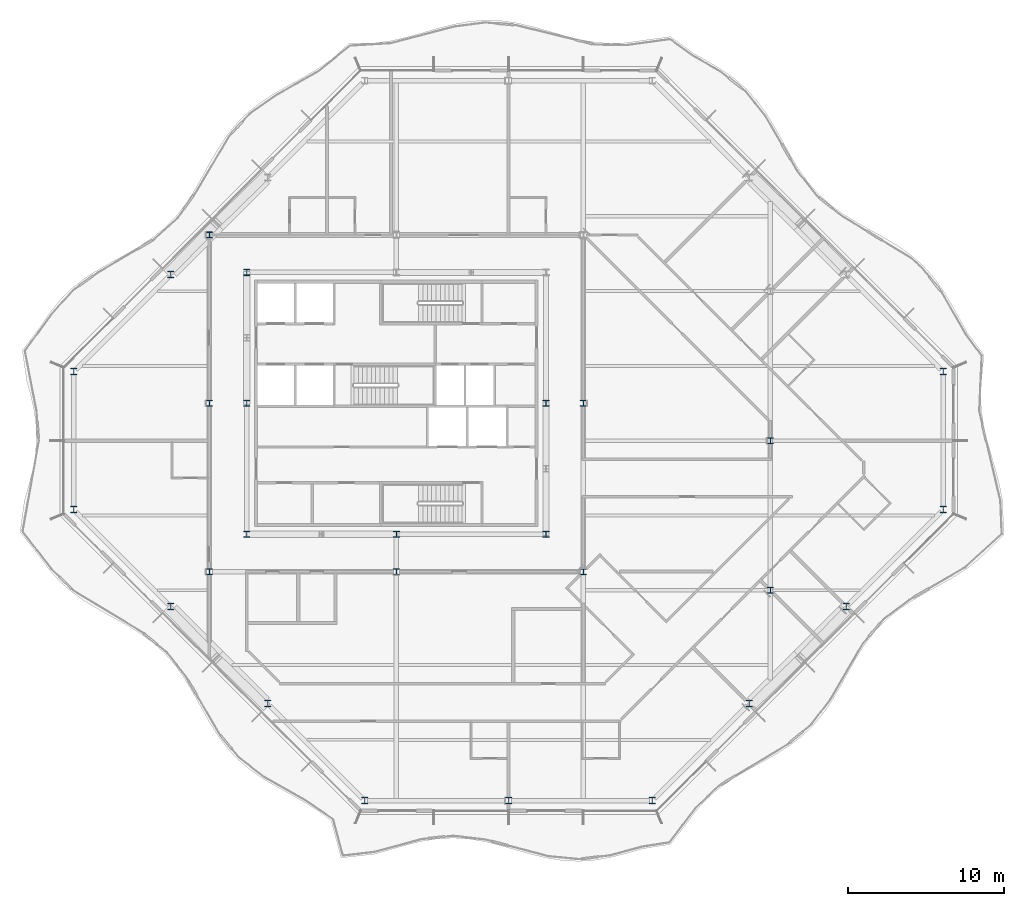
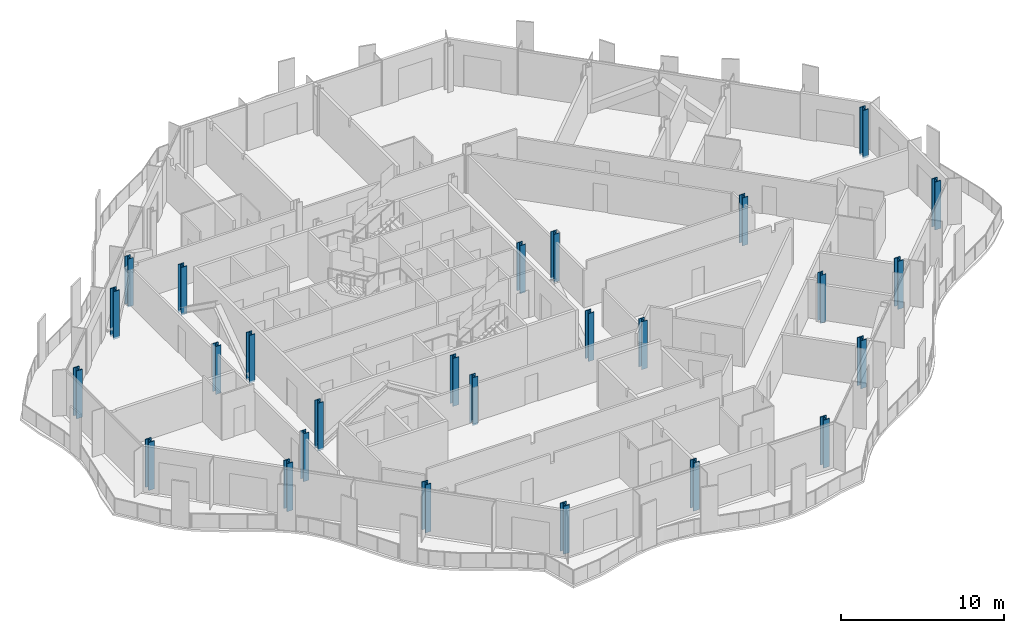
# One storey, part 1 of 17: 26 columns.
"""IFC4 building model written with IfcOpenShell, lengths in metres."""

from ifc_helpers import new_model, si_unit, direction, frame, origin, origin_2d, place, context, subcontext, project, spatial, i_section, extrude, material, material_profile, profile_set, type_object, element, save


model = new_model("IFC4")

# Units and contexts
model_context = context("Model", 3, precision=1e-05, world=origin(), true_north=direction((0.0, 1.0)))
body_context = subcontext(model_context, "Body", "Model", "MODEL_VIEW")
ifc_project = project(units=[si_unit("LENGTHUNIT", "METRE"), si_unit("AREAUNIT", "SQUARE_METRE"), si_unit("VOLUMEUNIT", "CUBIC_METRE"), si_unit("PLANEANGLEUNIT", "RADIAN"), si_unit("MASSUNIT", "GRAM", prefix="KILO")], contexts=[model_context])

# Site, building, storey
site_placement = place(None, origin())
site = spatial("IfcSite", under=ifc_project, at=site_placement, CompositionType="ELEMENT")
building_placement = place(site_placement, origin())
building = spatial("IfcBuilding", under=site, at=building_placement, Name="Cairn Pilgrim Tower", CompositionType="ELEMENT")
storey_placement = place(building_placement, frame((0.0, 0.0, 232.199951171875)))
storey = spatial("IfcBuildingStorey", under=building, at=storey_placement, Name="L59", CompositionType="ELEMENT", Elevation=232.199951171875)

# Columns
ifc_material_1 = material(Name="Structural steel S355J2", Category="steel")
ifc_material_profile_1 = material_profile(ifc_material_1, i_section(OverallWidth=0.39892578125, OverallDepth=0.39306640625, WebThickness=0.022705078125, FlangeThickness=0.03662109375, FilletRadius=0.014892578125, at=origin_2d()), Name="HD 400x287")
ifc_profile_set_1 = profile_set([ifc_material_profile_1], Name="Structural steel S355J2")
column_type_1 = type_object("IfcColumnType", Name="HD 400x287", PredefinedType="COLUMN", material=ifc_profile_set_1)
for number, where, z_axis, x_axis, name in (
    (1, (-4.800048828125, -8.39990234375, -0.14990234375), (0.0, 0.0, 1.0), (1.0, 0.0, 0.0), "IC-1"),
    (2, (7.199951171875, -8.39990234375, -0.14990234375), (0.0, 0.0, 1.0), (1.0, 0.0, 0.0), "IC-2"),
    (3, (19.199951171875, -8.39990234375, -0.14990234375), (0.0, 0.0, 1.0), (1.0, 0.0, 0.0), "IC-3"),
    (4, (-4.800048828125, 2.39990234375, -0.14990234375), (0.0, 0.0, 1.0), (1.0, 0.0, 0.0), "IC-4"),
    (5, (19.199951171875, 2.39990234375, -0.14990234375), (0.0, 0.0, 1.0), (1.0, 0.0, 0.0), "IC-5"),
    (6, (-4.800048828125, 13.199951171875, -0.14990234375), (0.0, 0.0, 1.0), (1.0, 0.0, 0.0), "IC-6"),
    (7, (31.199951171875, -9.60009765625, -0.14990234375), (0.0, 0.0, 1.0), (1.0, 0.0, 0.0), "WC-WE-2"),
    (8, (31.199951171875, 0.0, -0.14990234375), (0.0, 0.0, 1.0), (1.0, 0.0, 0.0), "WC-WE+0"),
):
    element("IfcColumn", number, at=place(storey_placement, frame(where, z_axis=z_axis, x_axis=x_axis)), inside=storey, type_object=column_type_1, Name=name, PredefinedType="COLUMN", context=body_context, shape_type="SweptSolid", body=[
        extrude(i_section(OverallWidth=0.39892578125, OverallDepth=0.39306640625, WebThickness=0.022705078125, FlangeThickness=0.03662109375, FilletRadius=0.014892578125, at=origin_2d()), origin(), (0.0, 0.0, 1.0), 3.599853515625),
    ])
ifc_material_2 = material(Name="Structural steel S460M", Category="steel")
ifc_material_profile_2 = material_profile(ifc_material_2, i_section(OverallWidth=0.404052734375, OverallDepth=0.406982421875, WebThickness=0.027099609375, FlangeThickness=0.043701171875, FilletRadius=0.014892578125, at=origin_2d()), Name="HD 400x347")
ifc_profile_set_2 = profile_set([ifc_material_profile_2], Name="Structural steel S460M")
column_type_2 = type_object("IfcColumnType", Name="HD 400x347", PredefinedType="COLUMN", material=ifc_profile_set_2)
for number, where, z_axis, x_axis, name in (
    (9, (-2.39990234375, -6.0, -0.14990234375), (0.0, 0.0, 1.0), (1.0, 0.0, 0.0), "KC-1"),
    (10, (7.199951171875, -6.0, -0.14990234375), (0.0, 0.0, 1.0), (1.0, 0.0, 0.0), "KC-2"),
    (11, (16.800048828125, -6.0, -0.14990234375), (0.0, 0.0, 1.0), (1.0, 0.0, 0.0), "KC-3"),
    (12, (-2.39990234375, 2.39990234375, -0.14990234375), (0.0, 0.0, 1.0), (1.0, 0.0, 0.0), "KC-4"),
    (13, (16.800048828125, 2.39990234375, -0.14990234375), (0.0, 0.0, 1.0), (1.0, 0.0, 0.0), "KC-5"),
    (14, (-2.39990234375, 10.800048828125, -0.14990234375), (0.0, 0.0, 1.0), (1.0, 0.0, 0.0), "KC-6"),
):
    element("IfcColumn", number, at=place(storey_placement, frame(where, z_axis=z_axis, x_axis=x_axis)), inside=storey, type_object=column_type_2, Name=name, PredefinedType="COLUMN", context=body_context, shape_type="SweptSolid", body=[
        extrude(i_section(OverallWidth=0.404052734375, OverallDepth=0.406982421875, WebThickness=0.027099609375, FlangeThickness=0.043701171875, FilletRadius=0.014892578125, at=origin_2d()), origin(), (0.0, 0.0, 1.0), 3.599853515625),
    ])
ifc_material_profile_3 = material_profile(ifc_material_2, i_section(OverallWidth=0.416015625, OverallDepth=0.446044921875, WebThickness=0.0390625, FlangeThickness=0.062744140625, FilletRadius=0.014892578125, at=origin_2d()), Name="HD 400x509")
ifc_profile_set_3 = profile_set([ifc_material_profile_3], Name="Structural steel S460M")
column_type_3 = type_object("IfcColumnType", Name="HD 400x509", PredefinedType="COLUMN", material=ifc_profile_set_3)
for number, where, z_axis, x_axis, name in (
    (15, (5.1728515625, -23.10009765625, -0.14990234375), (0.0, 0.0, 1.0), (1.0, 0.0, 0.0), "PC3-S1"),
    (16, (14.39990234375, -23.10009765625, -0.14990234375), (0.0, 0.0, 1.0), (1.0, 0.0, 0.0), "PC3-S2"),
    (17, (23.627197265625, -23.10009765625, -0.14990234375), (0.0, 0.0, 1.0), (1.0, 0.0, 0.0), "PC3-SE1"),
    (18, (29.8515625, -16.875732421875, -0.14990234375), (0.0, 0.0, 1.0), (1.0, 0.0, 0.0), "PC3-SE2"),
    (19, (36.07568359375, -10.651611328125, -0.14990234375), (0.0, 0.0, 1.0), (1.0, 0.0, 0.0), "PC3-SE3"),
    (20, (42.300048828125, -4.42724609375, -0.14990234375), (0.0, 0.0, 1.0), (1.0, 0.0, 0.0), "PC3-E1"),
    (21, (42.300048828125, 4.42724609375, -0.14990234375), (0.0, 0.0, 1.0), (1.0, 0.0, 0.0), "PC3-NE1"),
    (22, (-7.275634765625, 10.651611328125, -0.14990234375), (0.0, 0.0, 1.0), (1.0, 0.0, 0.0), "PC3-NW3"),
    (23, (-13.5, 4.42724609375, -0.14990234375), (0.0, 0.0, 1.0), (1.0, 0.0, 0.0), "PC3-W1"),
    (24, (-13.5, -4.42724609375, -0.14990234375), (0.0, 0.0, 1.0), (1.0, 0.0, 0.0), "PC3-SW1"),
    (25, (-7.275634765625, -10.651611328125, -0.14990234375), (0.0, 0.0, 1.0), (1.0, 0.0, 0.0), "PC3-SW2"),
    (26, (-1.051513671875, -16.875732421875, -0.14990234375), (0.0, 0.0, 1.0), (1.0, 0.0, 0.0), "PC3-SW3"),
):
    element("IfcColumn", number, at=place(storey_placement, frame(where, z_axis=z_axis, x_axis=x_axis)), inside=storey, type_object=column_type_3, Name=name, PredefinedType="COLUMN", context=body_context, shape_type="SweptSolid", body=[
        extrude(i_section(OverallWidth=0.416015625, OverallDepth=0.446044921875, WebThickness=0.0390625, FlangeThickness=0.062744140625, FilletRadius=0.014892578125, at=origin_2d()), origin(), (0.0, 0.0, 1.0), 3.599853515625),
    ])

save(model, "model.ifc")
